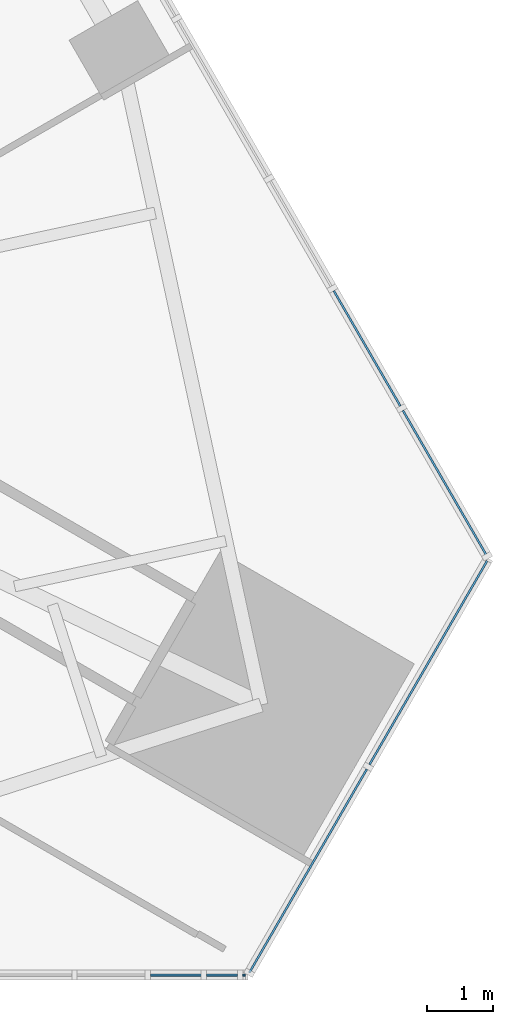
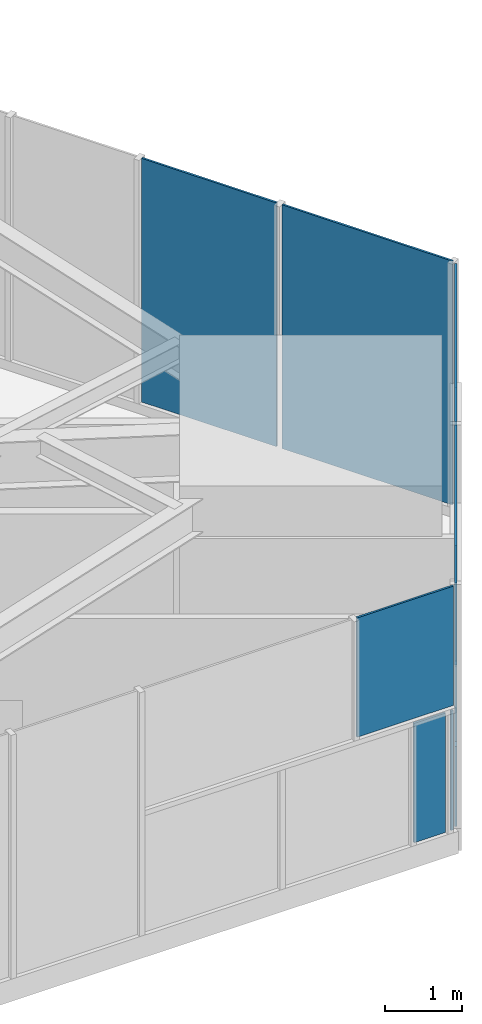
# One storey, part 14 of 25: 10 plates, 3 elements without a shape of their own.
"""IFC4 building model written with IfcOpenShell, lengths in metres."""

from ifc_helpers import new_model, si_unit, direction, frame, origin, place, context, subcontext, project, spatial, polyline, outline, extrude, material, layer, layer_set, type_object, element, aggregate, save


model = new_model("IFC4")

# Units and contexts
model_context = context("Model", 3, precision=1e-05, world=origin(), true_north=direction((0.0, 1.0)))
body_context = subcontext(model_context, "Body", "Model", "MODEL_VIEW")
ifc_project = project(units=[si_unit("LENGTHUNIT", "METRE"), si_unit("AREAUNIT", "SQUARE_METRE"), si_unit("VOLUMEUNIT", "CUBIC_METRE"), si_unit("PLANEANGLEUNIT", "RADIAN"), si_unit("MASSUNIT", "GRAM", prefix="KILO")], contexts=[model_context])

# Site, building, storey
site_placement = place(None, origin())
site = spatial("IfcSite", under=ifc_project, at=site_placement, CompositionType="ELEMENT")
building_placement = place(site_placement, origin())
building = spatial("IfcBuilding", under=site, at=building_placement, Name="Firuza Gate Tower and Library", CompositionType="ELEMENT")
storey_placement = place(building_placement, frame((0.0, 0.0, 86.199951171875)))
storey = spatial("IfcBuildingStorey", under=building, at=storey_placement, Name="L19", CompositionType="ELEMENT", Elevation=86.199951171875)

# Curtain wall, plates
ifc_material_1 = material(Name="Aluminium 6063-T6", Category="aluminium")
ifc_layer_1 = layer(ifc_material_1, 0.14990234375)
ifc_layer_set_1 = layer_set([ifc_layer_1], Name="Corner curtain wall, chamfers")
curtain_wall_type_1 = type_object("IfcCurtainWallType", Name="Corner curtain wall, chamfers", PredefinedType="NOTDEFINED", material=ifc_layer_set_1)
placement = place(storey_placement, origin())
curtain_wall_1 = element("IfcCurtainWall", 1, at=placement, inside=storey, type_object=curtain_wall_type_1, Name="CW4 L19 SE corner", PredefinedType="NOTDEFINED")
ifc_material_2 = material(Name="Fritted glass", Category="glass")
ifc_layer_2 = layer(ifc_material_2, 0.030029296875)
ifc_layer_set_2 = layer_set([ifc_layer_2], Name="Fritted glass unit, corners")
plate_type_1 = type_object("IfcPlateType", Name="Fritted glass unit, corners", PredefinedType="CURTAIN_PANEL", material=ifc_layer_set_2)
plate_1_placement = place(storey_placement, frame((103.384765625, 54.451416015625, 0.150146484375), z_axis=(0.866046390552, -0.49996364809, 0.0), x_axis=(0.49996364809, 0.866046390552, 0.0)))
plate_1 = element("IfcPlate", 2, at=plate_1_placement, type_object=plate_type_1, Name="Glass unit", PredefinedType="CURTAIN_PANEL", context=body_context, shape_type="SweptSolid", body=[
    extrude(outline(polyline([(0.0, 0.0), (3.563247342942594, 0.0), (3.563247342942594, 1.260009765625), (0.0, 1.260009765625), (0.0, 0.0)])), origin(), (0.0, 0.0, -1.0), 0.030029296875),
])
plate_2_placement = place(storey_placement, frame((103.384765625, 54.451416015625, 1.489990234375), z_axis=(0.866046390552, -0.49996364809, 0.0), x_axis=(0.49996364809, 0.866046390552, 0.0)))
plate_2 = element("IfcPlate", 3, at=plate_2_placement, type_object=plate_type_1, Name="Glass unit", PredefinedType="CURTAIN_PANEL", context=body_context, shape_type="SweptSolid", body=[
    extrude(outline(polyline([(0.0, 0.0), (3.563247342942594, 0.0), (3.563247342942594, 1.195068359375), (0.0, 1.195068359375), (0.0, 0.0)])), origin(), (0.0, 0.0, -1.0), 0.030029296875),
])
plate_3_placement = place(storey_placement, frame((105.206298828125, 57.6064453125, 0.150146484375), z_axis=(0.866016723041, -0.500015035186, 0.0), x_axis=(0.500015035186, 0.866016723041, 0.0)))
plate_3 = element("IfcPlate", 4, at=plate_3_placement, type_object=plate_type_1, Name="Glass unit", PredefinedType="CURTAIN_PANEL", context=body_context, shape_type="SweptSolid", body=[
    extrude(outline(polyline([(0.0, 0.0), (3.5633694106530625, 0.0), (3.5633694106530625, 1.885009765625), (0.0, 1.885009765625), (0.0, 0.0)])), origin(), (0.0, 0.0, -1.0), 0.030029296875),
])

# Curtain wall, plate
ifc_material_3 = material(Name="Aluminium 6063-T6", Category="aluminium")
ifc_layer_3 = layer(ifc_material_3, 0.14990234375)
ifc_layer_set_3 = layer_set([ifc_layer_3], Name="Unitised curtain wall, offices")
curtain_wall_type_2 = type_object("IfcCurtainWallType", Name="Unitised curtain wall, offices", PredefinedType="NOTDEFINED", material=ifc_layer_set_3)
curtain_wall_2 = element("IfcCurtainWall", 5, at=placement, inside=storey, type_object=curtain_wall_type_2, Name="CW1 L19 S face", PredefinedType="NOTDEFINED")
ifc_material_4 = material(Name="Fritted glass", Category="glass")
ifc_layer_4 = layer(ifc_material_4, 0.030029296875)
ifc_layer_set_4 = layer_set([ifc_layer_4], Name="Fritted glass unit, offices")
plate_type_2 = type_object("IfcPlateType", Name="Fritted glass unit, offices", PredefinedType="CURTAIN_PANEL", material=ifc_layer_set_4)
plate_4_placement = place(storey_placement, frame((102.720458984375, 54.4091796875, 0.150146484375), z_axis=(0.0, -1.0, 0.0), x_axis=(1.0, 0.0, 0.0)))
plate_4 = element("IfcPlate", 6, at=plate_4_placement, type_object=plate_type_2, Name="Glass unit", PredefinedType="CURTAIN_PANEL", context=body_context, shape_type="SweptSolid", body=[
    extrude(outline(polyline([(0.0, 0.0), (0.47265625, 0.0), (0.47265625, 1.885009765625), (0.0, 1.885009765625), (0.0, 0.0)])), origin(), (0.0, 0.0, -1.0), 0.030029296875),
])

curtain_wall_3 = element("IfcCurtainWall", 7, at=placement, inside=storey, type_object=curtain_wall_type_2, Name="CW1 L19 E face", PredefinedType="NOTDEFINED")
plate_5_placement = place(storey_placement, frame((105.67333984375, 63.053955078125, 0.150146484375), z_axis=(0.865975809255, 0.500085890408, 0.0), x_axis=(-0.500085890408, 0.865975809255, 0.0)))
plate_5 = element("IfcPlate", 8, at=plate_5_placement, type_object=plate_type_2, Name="Glass unit", PredefinedType="CURTAIN_PANEL", context=body_context, shape_type="SweptSolid", body=[
    extrude(outline(polyline([(0.0, 0.0), (2.0157670111493706, 0.0), (2.0157670111493706, 3.849853515625), (0.0, 3.849853515625), (0.0, 0.0)])), origin(), (0.0, 0.0, -1.0), 0.030029296875),
])

# Plate
ifc_material_5 = material(Name="Glazed ceramic tile")
ifc_layer_5 = layer(ifc_material_5, 0.030029296875)
ifc_layer_set_5 = layer_set([ifc_layer_5], Name="Opaque ceramic panel, corners")
plate_type_3 = type_object("IfcPlateType", Name="Opaque ceramic panel, corners", PredefinedType="CURTAIN_PANEL", material=ifc_layer_set_5)
plate_6_placement = place(storey_placement, frame((103.384765625, 54.451416015625, 2.76513671875), z_axis=(0.866046390552, -0.49996364809, 0.0), x_axis=(0.49996364809, 0.866046390552, 0.0)))
plate_6 = element("IfcPlate", 9, at=plate_6_placement, type_object=plate_type_3, Name="Opaque ceramic panel", PredefinedType="CURTAIN_PANEL", context=body_context, shape_type="SweptSolid", body=[
    extrude(outline(polyline([(0.0, 0.0), (3.563247342942594, 0.0), (3.563247342942594, 1.23486328125), (0.0, 1.23486328125), (0.0, 0.0)])), origin(), (0.0, 0.0, -1.0), 0.030029296875),
])

plate_7_placement = place(storey_placement, frame((105.206298828125, 57.6064453125, 2.114990234375), z_axis=(0.866016723041, -0.500015035186, 0.0), x_axis=(0.500015035186, 0.866016723041, 0.0)))
plate_7 = element("IfcPlate", 10, at=plate_7_placement, type_object=plate_type_3, Name="Opaque ceramic panel", PredefinedType="CURTAIN_PANEL", context=body_context, shape_type="SweptSolid", body=[
    extrude(outline(polyline([(0.0, 0.0), (3.5633694106530625, 0.0), (3.5633694106530625, 1.885009765625), (0.0, 1.885009765625), (0.0, 0.0)])), origin(), (0.0, 0.0, -1.0), 0.030029296875),
])

aggregate(curtain_wall_1, [plate_1, plate_2, plate_6, plate_3, plate_7])

ifc_material_6 = material(Name="Glazed ceramic tile")
ifc_layer_6 = layer(ifc_material_6, 0.030029296875)
ifc_layer_set_6 = layer_set([ifc_layer_6], Name="Opaque ceramic panel, offices")
plate_type_4 = type_object("IfcPlateType", Name="Opaque ceramic panel, offices", PredefinedType="CURTAIN_PANEL", material=ifc_layer_set_6)
plate_8_placement = place(storey_placement, frame((103.273193359375, 54.4091796875, 0.150146484375), z_axis=(0.0, -1.0, 0.0), x_axis=(1.0, 0.0, 0.0)))
plate_8 = element("IfcPlate", 11, at=plate_8_placement, type_object=plate_type_4, Name="Opaque ceramic panel", PredefinedType="CURTAIN_PANEL", context=body_context, shape_type="SweptSolid", body=[
    extrude(outline(polyline([(0.0, 0.0), (0.03857421875, 0.0), (0.03857421875, 1.885009765625), (0.0, 1.885009765625), (0.0, 0.0)])), origin(), (0.0, 0.0, -1.0), 0.030029296875),
])

plate_9_placement = place(storey_placement, frame((101.871826171875, 54.4091796875, 2.114990234375), z_axis=(0.0, -1.0, 0.0), x_axis=(1.0, 0.0, 0.0)))
plate_9 = element("IfcPlate", 12, at=plate_9_placement, type_object=plate_type_4, Name="Opaque ceramic panel", PredefinedType="CURTAIN_PANEL", context=body_context, shape_type="SweptSolid", body=[
    extrude(outline(polyline([(0.0, 0.0), (1.43994140625, 0.0), (1.43994140625, 1.885009765625), (0.0, 1.885009765625), (0.0, 0.0)])), origin(), (0.0, 0.0, -1.0), 0.030029296875),
])

aggregate(curtain_wall_2, [plate_4, plate_8, plate_9])

plate_10_placement = place(storey_placement, frame((106.988037109375, 60.776611328125, 0.150146484375), z_axis=(0.866048450576, 0.499960079661, 0.0), x_axis=(-0.499960079661, 0.866048450576, 0.0)))
plate_10 = element("IfcPlate", 13, at=plate_10_placement, type_object=plate_type_4, Name="Opaque ceramic panel", PredefinedType="CURTAIN_PANEL", context=body_context, shape_type="SweptSolid", body=[
    extrude(outline(polyline([(0.0, 0.0), (2.5495199616506024, 0.0), (2.5495199616506024, 3.849853515625), (0.0, 3.849853515625), (0.0, 0.0)])), origin(), (0.0, 0.0, -1.0), 0.030029296875),
])

aggregate(curtain_wall_3, [plate_10, plate_5])

save(model, "model.ifc")
